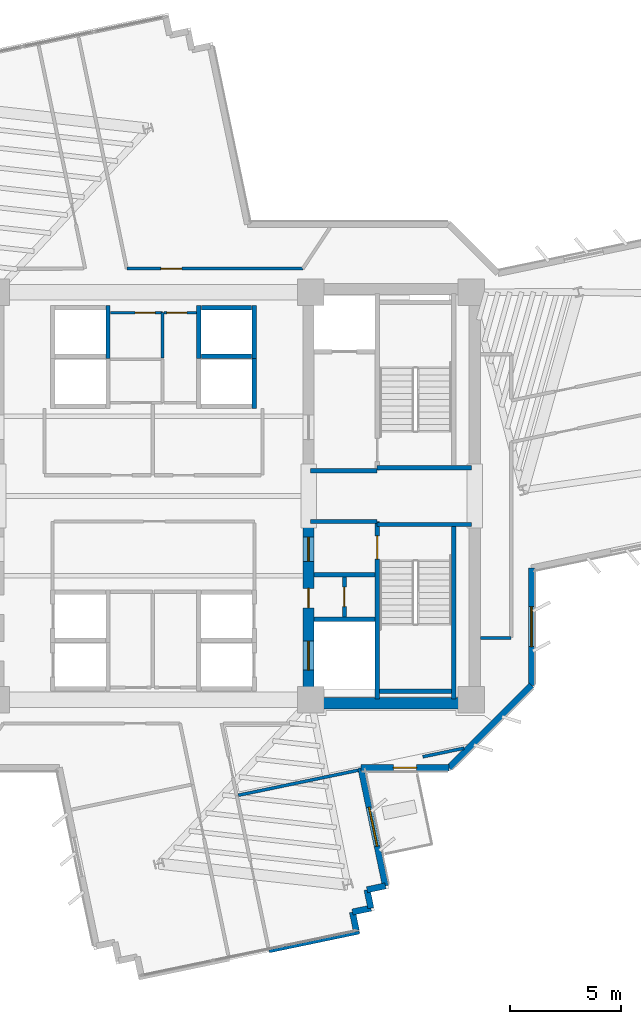
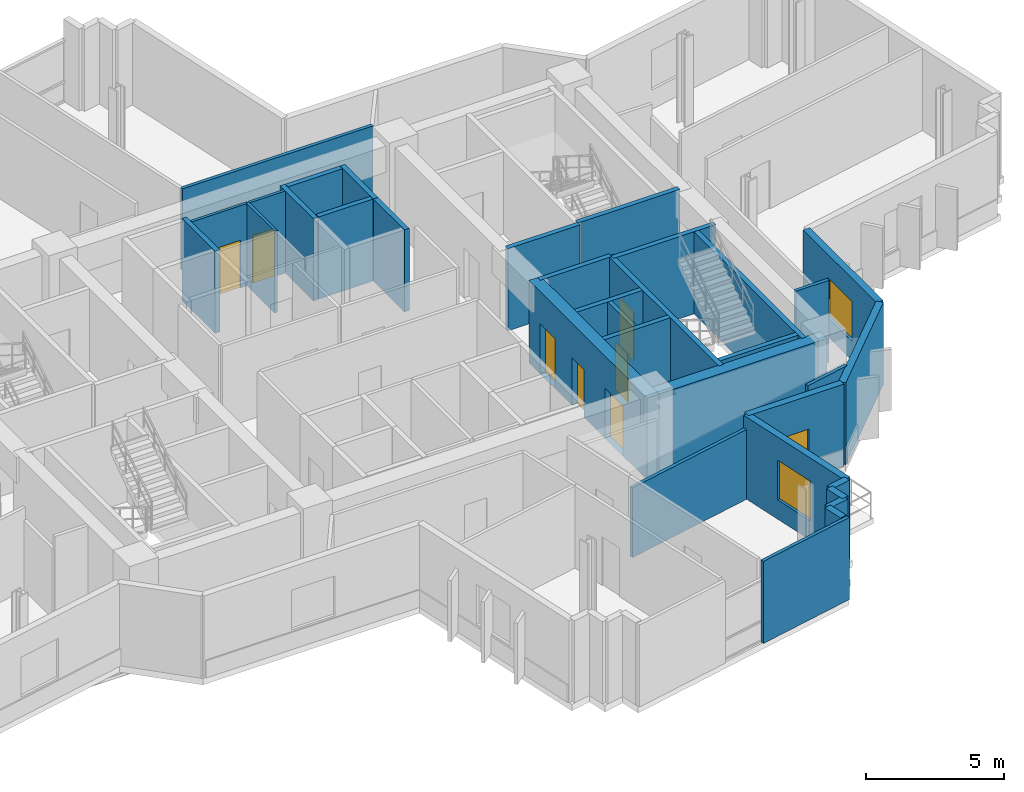
# One storey, part 9 of 14: 34 walls, 9 doors, 2 windows, 11 openings.
"""IFC4 building model written with IfcOpenShell, lengths in metres."""

from ifc_helpers import new_model, si_unit, direction, frame, frame_2d, origin, place, context, subcontext, project, spatial, rectangle, extrude, source, transform, mapped, material, layer, layer_set, type_object, element, fill, save


model = new_model("IFC4")

# Units and contexts
model_context = context("Model", 3, precision=1e-05, world=origin(), true_north=direction((0.0, 1.0)))
body_context = subcontext(model_context, "Body", "Model", "MODEL_VIEW")
ifc_project = project(units=[si_unit("LENGTHUNIT", "METRE"), si_unit("AREAUNIT", "SQUARE_METRE"), si_unit("VOLUMEUNIT", "CUBIC_METRE"), si_unit("PLANEANGLEUNIT", "RADIAN"), si_unit("MASSUNIT", "GRAM", prefix="KILO")], contexts=[model_context])

# Site, building, storey
site_placement = place(None, origin())
site = spatial("IfcSite", under=ifc_project, at=site_placement, CompositionType="ELEMENT")
building_placement = place(site_placement, origin())
building = spatial("IfcBuilding", under=site, at=building_placement, Name="Zahravan Cultural Tower", CompositionType="ELEMENT")
storey_placement = place(building_placement, frame((0.0, 0.0, 159.0)))
storey = spatial("IfcBuildingStorey", under=building, at=storey_placement, Name="L36", CompositionType="ELEMENT", Elevation=159.0)

# Wall, openings, doors
ifc_material_1 = material(Name="Concrete C60/75", Category="concrete")
ifc_layer_1 = layer(ifc_material_1, 0.5)
ifc_layer_set_1 = layer_set([ifc_layer_1], Name="Concrete C60/75")
wall_type_1 = type_object("IfcWallType", Name="CW-SHEAR-500-C60", PredefinedType="SHEAR", material=ifc_layer_set_1)
wall_1_placement = place(storey_placement, frame((43.0, 17.39990234375, 0.0), z_axis=(0.0, 0.0, 1.0), x_axis=(0.0, 1.0, 0.0)))
wall_1 = element("IfcWall", 1, at=wall_1_placement, inside=storey, type_object=wall_type_1, Name="L36 Core Shear Wall CW-E-WS-L36", PredefinedType="SHEAR", context=body_context, shape_type="SweptSolid", body=[
    extrude(rectangle(XDim=8.550048828125, YDim=0.5, at=frame_2d((4.27490234375, 0.0))), origin(), (0.0, 0.0, 1.0), 3.6201171875),
])
opening_1_placement = place(wall_1_placement, frame((6.64990234375, 0.0, 0.0)))
opening_1 = element("IfcOpeningElement", 2, at=opening_1_placement, cuts=wall_1, Name="Opening D-L36-08", PredefinedType="OPENING", context=body_context, shape_type="SweptSolid", body=[
    extrude(rectangle(XDim=1.10009765625, YDim=2.199951171875, at=frame_2d((0.550048828125, 1.10009765625))), frame((0.0, 0.260009765625, 0.0), z_axis=(0.0, -1.0, 0.0), x_axis=(1.0, 0.0, 0.0)), (0.0, 0.0, 1.0), 0.52001953125),
])
opening_2_placement = place(wall_1_placement, frame((1.75, 0.0, 0.0)))
opening_2 = element("IfcOpeningElement", 3, at=opening_2_placement, cuts=wall_1, Name="Opening LD-L36-03", PredefinedType="OPENING", context=body_context, shape_type="SweptSolid", body=[
    extrude(rectangle(XDim=1.300048828125, YDim=2.199951171875, at=frame_2d((0.64990234375, 1.10009765625))), frame((0.0, 0.260009765625, 0.0), z_axis=(0.0, -1.0, 0.0), x_axis=(1.0, 0.0, 0.0)), (0.0, 0.0, 1.0), 0.52001953125),
])
opening_3_placement = place(wall_1_placement, frame((4.550048828125, 0.0, 0.0)))
opening_3 = element("IfcOpeningElement", 4, at=opening_3_placement, cuts=wall_1, Name="Opening D-L36-11", PredefinedType="OPENING", context=body_context, shape_type="SweptSolid", body=[
    extrude(rectangle(XDim=0.8798828125, YDim=2.10009765625, at=frame_2d((0.43994140625, 1.050048828125))), frame((0.0, 0.260009765625, 0.0), z_axis=(0.0, -1.0, 0.0), x_axis=(1.0, 0.0, 0.0)), (0.0, 0.0, 1.0), 0.52001953125),
])
ifc_material_2 = material(Name="Steel ASTM A572 Grade 50", Category="steel")
door_type_1 = type_object("IfcDoorType", Name="DR-LOBBY-1100", OperationType="NOTDEFINED", PredefinedType="DOOR", material=ifc_material_2)
shared_shape_1 = source(origin(), body_context, "Body", "SweptSolid", [
    extrude(rectangle(XDim=1.10009765625, YDim=2.199951171875, at=frame_2d((0.550048828125, 1.10009765625))), frame((0.0, 0.02490234375, 0.0), z_axis=(0.0, -1.0, 0.0), x_axis=(1.0, 0.0, 0.0)), (0.0, 0.0, 1.0), 0.050048828125),
])
door_1_placement = place(opening_1_placement, origin())
door_1 = element("IfcDoor", 5, at=door_1_placement, inside=storey, type_object=door_type_1, Name="L36 Door D-L36-08", OperationType="SINGLE_SWING_LEFT", OverallHeight=2.199951171875, OverallWidth=1.10009765625, PredefinedType="DOOR", context=body_context, shape_type="MappedRepresentation", body=[
    mapped(shared_shape_1, transform((0.0, 0.0, 0.0), x_axis=(1.0, 0.0, 0.0), y_axis=(0.0, 1.0, 0.0), z_axis=(0.0, 0.0, 1.0), scale=1.0)),
])
fill(opening_1, door_1)
door_type_2 = type_object("IfcDoorType", Name="DR-LIFT-1300", OperationType="DOUBLE_DOOR_SLIDING", PredefinedType="DOOR", material=ifc_material_2)
shared_shape_2 = source(origin(), body_context, "Body", "SweptSolid", [
    extrude(rectangle(XDim=1.300048828125, YDim=2.199951171875, at=frame_2d((0.64990234375, 1.10009765625))), frame((0.0, 0.02490234375, 0.0), z_axis=(0.0, -1.0, 0.0), x_axis=(1.0, 0.0, 0.0)), (0.0, 0.0, 1.0), 0.050048828125),
])
door_2_placement = place(opening_2_placement, origin())
door_2 = element("IfcDoor", 6, at=door_2_placement, inside=storey, type_object=door_type_2, Name="L36 Door LD-L36-03", OperationType="DOUBLE_DOOR_SLIDING", OverallHeight=2.199951171875, OverallWidth=1.300048828125, PredefinedType="DOOR", context=body_context, shape_type="MappedRepresentation", body=[
    mapped(shared_shape_2, transform((0.0, 0.0, 0.0), x_axis=(1.0, 0.0, 0.0), y_axis=(0.0, 1.0, 0.0), z_axis=(0.0, 0.0, 1.0), scale=1.0)),
])
fill(opening_2, door_2)
door_type_3 = type_object("IfcDoorType", Name="DR-SVC-880", OperationType="NOTDEFINED", PredefinedType="DOOR", material=ifc_material_2)
shared_shape_3 = source(origin(), body_context, "Body", "SweptSolid", [
    extrude(rectangle(XDim=0.8798828125, YDim=2.10009765625, at=frame_2d((0.43994140625, 1.050048828125))), frame((0.0, 0.02490234375, 0.0), z_axis=(0.0, -1.0, 0.0), x_axis=(1.0, 0.0, 0.0)), (0.0, 0.0, 1.0), 0.050048828125),
])
door_3_placement = place(opening_3_placement, origin())
door_3 = element("IfcDoor", 7, at=door_3_placement, inside=storey, type_object=door_type_3, Name="L36 Door D-L36-11", OperationType="SINGLE_SWING_RIGHT", OverallHeight=2.10009765625, OverallWidth=0.8798828125, PredefinedType="DOOR", context=body_context, shape_type="MappedRepresentation", body=[
    mapped(shared_shape_3, transform((0.0, 0.0, 0.0), x_axis=(1.0, 0.0, 0.0), y_axis=(0.0, 1.0, 0.0), z_axis=(0.0, 0.0, 1.0), scale=1.0)),
])
fill(opening_3, door_3)

# Wall, opening, window
ifc_material_3 = material(Name="Precast concrete C40/50", Category="concrete")
ifc_layer_2 = layer(ifc_material_3, 0.280029296875)
ifc_layer_set_2 = layer_set([ifc_layer_2], Name="Precast concrete C40/50")
wall_type_2 = type_object("IfcWallType", Name="EW-TC-280", PredefinedType="SOLIDWALL", material=ifc_layer_set_2)
wall_2_placement = place(storey_placement, frame((53.06005859375, 23.75439453125, 0.0), z_axis=(0.0, 0.0, 1.0), x_axis=(0.0, -1.0, 0.0)))
wall_2 = element("IfcWall", 8, at=wall_2_placement, inside=storey, type_object=wall_type_2, Name="L36 Exterior Masonry Frame Wall 12", PredefinedType="SOLIDWALL", context=body_context, shape_type="SweptSolid", body=[
    extrude(rectangle(XDim=5.29638671875, YDim=0.280029296875, at=frame_2d((2.648193359375, 0.0))), origin(), (0.0, 0.0, 1.0), 3.6201171875),
])
opening_4_placement = place(wall_2_placement, frame((1.748046875, 0.0, 0.85009765625)))
opening_4 = element("IfcOpeningElement", 9, at=opening_4_placement, cuts=wall_2, Name="Opening WN-02", PredefinedType="OPENING", context=body_context, shape_type="SweptSolid", body=[
    extrude(rectangle(XDim=1.800048828125, YDim=1.75, at=frame_2d((0.89990234375, 0.875))), frame((0.0, 0.14990234375, 0.0), z_axis=(0.0, -1.0, 0.0), x_axis=(1.0, 0.0, 0.0)), (0.0, 0.0, 1.0), 0.300048828125),
])
ifc_material_4 = material(Name="Low-E solar-control double glazing", Category="glass")
window_type = type_object("IfcWindowType", Name="WN-REC-1800X1750", PartitioningType="DOUBLE_PANEL_VERTICAL", PredefinedType="WINDOW", material=ifc_material_4)
shared_shape_4 = source(origin(), body_context, "Body", "SweptSolid", [
    extrude(rectangle(XDim=1.800048828125, YDim=1.75, at=frame_2d((0.89990234375, 0.875))), frame((0.0, 0.030029296875, 0.0), z_axis=(0.0, -1.0, 0.0), x_axis=(1.0, 0.0, 0.0)), (0.0, 0.0, 1.0), 0.06005859375),
])
window_1_placement = place(opening_4_placement, origin())
window_1 = element("IfcWindow", 10, at=window_1_placement, inside=storey, type_object=window_type, Name="L36 Recessed Solar Window 03", OverallHeight=1.75, OverallWidth=1.800048828125, PartitioningType="DOUBLE_PANEL_VERTICAL", PredefinedType="WINDOW", context=body_context, shape_type="MappedRepresentation", body=[
    mapped(shared_shape_4, transform((0.0, 0.0, 0.0), x_axis=(1.0, 0.0, 0.0), y_axis=(0.0, 1.0, 0.0), z_axis=(0.0, 0.0, 1.0), scale=1.0)),
])
fill(opening_4, window_1)

# Wall, opening, door
wall_3_placement = place(storey_placement, frame((49.342041015625, 14.739990234375, 0.0), z_axis=(0.0, 0.0, 1.0), x_axis=(-1.0, 0.0, 0.0)))
wall_3 = element("IfcWall", 11, at=wall_3_placement, inside=storey, type_object=wall_type_2, Name="L36 Exterior Masonry Frame Wall 14", PredefinedType="SOLIDWALL", context=body_context, shape_type="SweptSolid", body=[
    extrude(rectangle(XDim=3.98193359375, YDim=0.280029296875, at=frame_2d((1.990966796875, 0.0))), origin(), (0.0, 0.0, 1.0), 3.6201171875),
])
opening_5_placement = place(wall_3_placement, frame((1.466064453125, 0.0, 0.0)))
opening_5 = element("IfcOpeningElement", 12, at=opening_5_placement, cuts=wall_3, Name="Opening D-L36-TR-SE", PredefinedType="OPENING", context=body_context, shape_type="SweptSolid", body=[
    extrude(rectangle(XDim=1.050048828125, YDim=2.14990234375, at=frame_2d((0.52490234375, 1.074951171875))), frame((0.0, 0.14990234375, 0.0), z_axis=(0.0, -1.0, 0.0), x_axis=(1.0, 0.0, 0.0)), (0.0, 0.0, 1.0), 0.300048828125),
])
ifc_material_5 = material(Name="Anodised bronze-aluminium mullion", Category="aluminium")
door_type_4 = type_object("IfcDoorType", Name="DR-TERR-1050", OperationType="NOTDEFINED", PredefinedType="DOOR", material=ifc_material_5)
shared_shape_5 = source(origin(), body_context, "Body", "SweptSolid", [
    extrude(rectangle(XDim=1.050048828125, YDim=2.14990234375, at=frame_2d((0.52490234375, 1.074951171875))), frame((0.0, 0.02490234375, 0.0), z_axis=(0.0, -1.0, 0.0), x_axis=(1.0, 0.0, 0.0)), (0.0, 0.0, 1.0), 0.050048828125),
])
door_4_placement = place(opening_5_placement, origin())
door_4 = element("IfcDoor", 13, at=door_4_placement, inside=storey, type_object=door_type_4, Name="L36 Terrace Access Door SE", OperationType="SINGLE_SWING_LEFT", OverallHeight=2.14990234375, OverallWidth=1.050048828125, PredefinedType="DOOR", context=body_context, shape_type="MappedRepresentation", body=[
    mapped(shared_shape_5, transform((0.0, 0.0, 0.0), x_axis=(1.0, 0.0, 0.0), y_axis=(0.0, 1.0, 0.0), z_axis=(0.0, 0.0, 1.0), scale=1.0)),
])
fill(opening_5, door_4)

# Wall, opening, window
wall_4_placement = place(storey_placement, frame((45.360107421875, 14.739990234375, 0.0), z_axis=(0.0, 0.0, 1.0), x_axis=(0.204151126022, -0.978939384101, 0.0)))
wall_4 = element("IfcWall", 14, at=wall_4_placement, inside=storey, type_object=wall_type_2, Name="L36 Exterior Masonry Frame Wall 15", PredefinedType="SOLIDWALL", context=body_context, shape_type="SweptSolid", body=[
    extrude(rectangle(XDim=5.447265625, YDim=0.280029296875, at=frame_2d((2.7236328125, 0.0))), origin(), (0.0, 0.0, 1.0), 3.6201171875),
])
opening_6_placement = place(wall_4_placement, frame((1.823974609375, 0.0, 0.85009765625)))
opening_6 = element("IfcOpeningElement", 15, at=opening_6_placement, cuts=wall_4, Name="Opening WN-02", PredefinedType="OPENING", context=body_context, shape_type="SweptSolid", body=[
    extrude(rectangle(XDim=1.800048828125, YDim=1.75, at=frame_2d((0.89990234375, 0.875))), frame((0.0, 0.14990234375, 0.0), z_axis=(0.0, -1.0, 0.0), x_axis=(1.0, 0.0, 0.0)), (0.0, 0.0, 1.0), 0.300048828125),
])
window_2_placement = place(opening_6_placement, origin())
window_2 = element("IfcWindow", 16, at=window_2_placement, inside=storey, type_object=window_type, Name="L36 Recessed Solar Window 04", OverallHeight=1.75, OverallWidth=1.800048828125, PartitioningType="DOUBLE_PANEL_VERTICAL", PredefinedType="WINDOW", context=body_context, shape_type="MappedRepresentation", body=[
    mapped(shared_shape_4, transform((0.0, 0.0, 0.0), x_axis=(1.0, 0.0, 0.0), y_axis=(0.0, 1.0, 0.0), z_axis=(0.0, 0.0, 1.0), scale=1.0)),
])
fill(opening_6, window_2)

# Wall, opening, door
ifc_material_6 = material(Name="Gypsum plasterboard partition")
ifc_layer_3 = layer(ifc_material_6, 0.179931640625)
ifc_layer_set_3 = layer_set([ifc_layer_3], Name="Gypsum plasterboard partition")
wall_type_3 = type_object("IfcWallType", Name="W-COMP-180", PredefinedType="PARTITIONING", material=ifc_layer_set_3)
wall_5_placement = place(storey_placement, frame((44.6201171875, 21.550048828125, 0.0), z_axis=(0.0, 0.0, 1.0), x_axis=(0.0, 1.0, 0.0)))
wall_5 = element("IfcWall", 17, at=wall_5_placement, inside=storey, type_object=wall_type_3, Name="L36 Interior Wall 027", PredefinedType="PARTITIONING", context=body_context, shape_type="SweptSolid", body=[
    extrude(rectangle(XDim=1.800048828125, YDim=0.179931640625, at=frame_2d((0.89990234375, 0.0))), origin(), (0.0, 0.0, 1.0), 3.6201171875),
])
opening_7_placement = place(wall_5_placement, frame((0.4599609375, 0.0, 0.0)))
opening_7 = element("IfcOpeningElement", 18, at=opening_7_placement, cuts=wall_5, Name="Opening D-L36-12", PredefinedType="OPENING", context=body_context, shape_type="SweptSolid", body=[
    extrude(rectangle(XDim=0.8798828125, YDim=2.10009765625, at=frame_2d((0.43994140625, 1.050048828125))), frame((0.0, 0.099853515625, 0.0), z_axis=(0.0, -1.0, 0.0), x_axis=(1.0, 0.0, 0.0)), (0.0, 0.0, 1.0), 0.199951171875),
])
door_5_placement = place(opening_7_placement, origin())
door_5 = element("IfcDoor", 19, at=door_5_placement, inside=storey, type_object=door_type_3, Name="L36 Door D-L36-12", OperationType="SINGLE_SWING_LEFT", OverallHeight=2.10009765625, OverallWidth=0.8798828125, PredefinedType="DOOR", context=body_context, shape_type="MappedRepresentation", body=[
    mapped(shared_shape_3, transform((0.0, 0.0, 0.0), x_axis=(1.0, 0.0, 0.0), y_axis=(0.0, 1.0, 0.0), z_axis=(0.0, 0.0, 1.0), scale=1.0)),
])
fill(opening_7, door_5)

ifc_layer_4 = layer(ifc_material_6, 0.139892578125)
ifc_layer_set_4 = layer_set([ifc_layer_4], Name="Gypsum plasterboard partition")
wall_type_4 = type_object("IfcWallType", Name="W-PART-140", PredefinedType="PARTITIONING", material=ifc_layer_set_4)
wall_6_placement = place(storey_placement, frame((42.7421875, 37.260009765625, 0.0), z_axis=(0.0, 0.0, 1.0), x_axis=(-1.0, 0.0, 0.0)))
wall_6 = element("IfcWall", 20, at=wall_6_placement, inside=storey, type_object=wall_type_4, Name="L36 Interior Wall 088", PredefinedType="PARTITIONING", context=body_context, shape_type="SweptSolid", body=[
    extrude(rectangle(XDim=7.942138671875, YDim=0.139892578125, at=frame_2d((3.97119140625, 0.0))), origin(), (0.0, 0.0, 1.0), 3.6201171875),
])
opening_8_placement = place(wall_6_placement, frame((5.453857421875, 0.0, 0.0)))
opening_8 = element("IfcOpeningElement", 21, at=opening_8_placement, cuts=wall_6, Name="Opening D-L36-22", PredefinedType="OPENING", context=body_context, shape_type="SweptSolid", body=[
    extrude(rectangle(XDim=0.949951171875, YDim=2.14990234375, at=frame_2d((0.47509765625, 1.074951171875))), frame((0.0, 0.079833984375, 0.0), z_axis=(0.0, -1.0, 0.0), x_axis=(1.0, 0.0, 0.0)), (0.0, 0.0, 1.0), 0.159912109375),
])
door_type_5 = type_object("IfcDoorType", Name="DR-ROOM-950", OperationType="NOTDEFINED", PredefinedType="DOOR", material=ifc_material_5)
shared_shape_6 = source(origin(), body_context, "Body", "SweptSolid", [
    extrude(rectangle(XDim=0.949951171875, YDim=2.14990234375, at=frame_2d((0.47509765625, 1.074951171875))), frame((0.0, 0.02490234375, 0.0), z_axis=(0.0, -1.0, 0.0), x_axis=(1.0, 0.0, 0.0)), (0.0, 0.0, 1.0), 0.050048828125),
])
door_6_placement = place(opening_8_placement, origin())
door_6 = element("IfcDoor", 22, at=door_6_placement, inside=storey, type_object=door_type_5, Name="L36 Door D-L36-22", OperationType="SINGLE_SWING_LEFT", OverallHeight=2.14990234375, OverallWidth=0.949951171875, PredefinedType="DOOR", context=body_context, shape_type="MappedRepresentation", body=[
    mapped(shared_shape_6, transform((0.0, 0.0, 0.0), x_axis=(1.0, 0.0, 0.0), y_axis=(0.0, 1.0, 0.0), z_axis=(0.0, 0.0, 1.0), scale=1.0)),
])
fill(opening_8, door_6)

ifc_material_7 = material(Name="Concrete C45/55", Category="concrete")
ifc_layer_5 = layer(ifc_material_7, 0.199951171875)
ifc_layer_set_5 = layer_set([ifc_layer_5], Name="Concrete C45/55")
wall_type_5 = type_object("IfcWallType", Name="W-SHAFT-200", PredefinedType="SOLIDWALL", material=ifc_layer_set_5)
wall_7_placement = place(storey_placement, frame((46.10009765625, 17.85009765625, 0.0), z_axis=(0.0, 0.0, 1.0), x_axis=(0.0, 1.0, 0.0)))
wall_7 = element("IfcWall", 23, at=wall_7_placement, inside=storey, type_object=wall_type_5, Name="L36 Interior Wall 007", PredefinedType="SOLIDWALL", context=body_context, shape_type="SweptSolid", body=[
    extrude(rectangle(XDim=8.0, YDim=0.199951171875, at=frame_2d((4.0, 0.0))), origin(), (0.0, 0.0, 1.0), 3.6201171875),
])
opening_9_placement = place(wall_7_placement, frame((6.300048828125, 0.0, 0.0)))
opening_9 = element("IfcOpeningElement", 24, at=opening_9_placement, cuts=wall_7, Name="Opening D-L36-03", PredefinedType="OPENING", context=body_context, shape_type="SweptSolid", body=[
    extrude(rectangle(XDim=1.050048828125, YDim=2.14990234375, at=frame_2d((0.52490234375, 1.074951171875))), frame((0.0, 0.10986328125, 0.0), z_axis=(0.0, -1.0, 0.0), x_axis=(1.0, 0.0, 0.0)), (0.0, 0.0, 1.0), 0.219970703125),
])
door_type_6 = type_object("IfcDoorType", Name="DR-STAIR-1050", OperationType="NOTDEFINED", PredefinedType="DOOR", material=ifc_material_2)
door_7_placement = place(opening_9_placement, origin())
door_7 = element("IfcDoor", 25, at=door_7_placement, inside=storey, type_object=door_type_6, Name="L36 Door D-L36-03", OperationType="SINGLE_SWING_RIGHT", OverallHeight=2.14990234375, OverallWidth=1.050048828125, PredefinedType="DOOR", context=body_context, shape_type="MappedRepresentation", body=[
    mapped(shared_shape_5, transform((0.0, 0.0, 0.0), x_axis=(1.0, 0.0, 0.0), y_axis=(0.0, 1.0, 0.0), z_axis=(0.0, 0.0, 1.0), scale=1.0)),
])
fill(opening_9, door_7)

ifc_layer_6 = layer(ifc_material_6, 0.114990234375)
ifc_layer_set_6 = layer_set([ifc_layer_6], Name="Gypsum plasterboard partition")
wall_type_6 = type_object("IfcWallType", Name="W-WC-115", PredefinedType="PARTITIONING", material=ifc_layer_set_6)
wall_8_placement = place(storey_placement, frame((34.054931640625, 35.280029296875, 0.0), z_axis=(0.0, 0.0, 1.0), x_axis=(1.0, 0.0, 0.0)))
wall_8 = element("IfcWall", 26, at=wall_8_placement, inside=storey, type_object=wall_type_6, Name="L36 Interior Wall 059", PredefinedType="PARTITIONING", context=body_context, shape_type="SweptSolid", body=[
    extrude(rectangle(XDim=2.35498046875, YDim=0.114990234375, at=frame_2d((1.177490234375, 0.0))), origin(), (0.0, 0.0, 1.0), 3.6201171875),
])
opening_10_placement = place(wall_8_placement, frame((1.120849609375, 0.0, 0.0)))
opening_10 = element("IfcOpeningElement", 27, at=opening_10_placement, cuts=wall_8, Name="Opening D-L36-14", PredefinedType="OPENING", context=body_context, shape_type="SweptSolid", body=[
    extrude(rectangle(XDim=0.89990234375, YDim=2.10009765625, at=frame_2d((0.449951171875, 1.050048828125))), frame((0.0, 0.0673828125, 0.0), z_axis=(0.0, -1.0, 0.0), x_axis=(1.0, 0.0, 0.0)), (0.0, 0.0, 1.0), 0.135009765625),
])
door_type_7 = type_object("IfcDoorType", Name="DR-WC-900", OperationType="NOTDEFINED", PredefinedType="DOOR", material=ifc_material_5)
shared_shape_7 = source(origin(), body_context, "Body", "SweptSolid", [
    extrude(rectangle(XDim=0.89990234375, YDim=2.10009765625, at=frame_2d((0.449951171875, 1.050048828125))), frame((0.0, 0.02490234375, 0.0), z_axis=(0.0, -1.0, 0.0), x_axis=(1.0, 0.0, 0.0)), (0.0, 0.0, 1.0), 0.050048828125),
])
door_8_placement = place(opening_10_placement, origin())
door_8 = element("IfcDoor", 28, at=door_8_placement, inside=storey, type_object=door_type_7, Name="L36 Door D-L36-14", OperationType="SINGLE_SWING_LEFT", OverallHeight=2.10009765625, OverallWidth=0.89990234375, PredefinedType="DOOR", context=body_context, shape_type="MappedRepresentation", body=[
    mapped(shared_shape_7, transform((0.0, 0.0, 0.0), x_axis=(1.0, 0.0, 0.0), y_axis=(0.0, 1.0, 0.0), z_axis=(0.0, 0.0, 1.0), scale=1.0)),
])
fill(opening_10, door_8)

wall_9_placement = place(storey_placement, frame((36.472412109375, 35.280029296875, 0.0), z_axis=(0.0, 0.0, 1.0), x_axis=(1.0, 0.0, 0.0)))
wall_9 = element("IfcWall", 29, at=wall_9_placement, inside=storey, type_object=wall_type_6, Name="L36 Interior Wall 062", PredefinedType="PARTITIONING", context=body_context, shape_type="SweptSolid", body=[
    extrude(rectangle(XDim=1.47265625, YDim=0.114990234375, at=frame_2d((0.736328125, 0.0))), origin(), (0.0, 0.0, 1.0), 3.6201171875),
])
opening_11_placement = place(wall_9_placement, frame((0.139892578125, 0.0, 0.0)))
opening_11 = element("IfcOpeningElement", 30, at=opening_11_placement, cuts=wall_9, Name="Opening D-L36-15", PredefinedType="OPENING", context=body_context, shape_type="SweptSolid", body=[
    extrude(rectangle(XDim=0.89990234375, YDim=2.10009765625, at=frame_2d((0.449951171875, 1.050048828125))), frame((0.0, 0.0673828125, 0.0), z_axis=(0.0, -1.0, 0.0), x_axis=(1.0, 0.0, 0.0)), (0.0, 0.0, 1.0), 0.135009765625),
])
door_9_placement = place(opening_11_placement, origin())
door_9 = element("IfcDoor", 31, at=door_9_placement, inside=storey, type_object=door_type_7, Name="L36 Door D-L36-15", OperationType="SINGLE_SWING_RIGHT", OverallHeight=2.10009765625, OverallWidth=0.89990234375, PredefinedType="DOOR", context=body_context, shape_type="MappedRepresentation", body=[
    mapped(shared_shape_7, transform((0.0, 0.0, 0.0), x_axis=(1.0, 0.0, 0.0), y_axis=(0.0, 1.0, 0.0), z_axis=(0.0, 0.0, 1.0), scale=1.0)),
])
fill(opening_11, door_9)

# Walls
shared_shape_8 = source(origin(), body_context, "Body", "SweptSolid", [
    extrude(rectangle(XDim=7.0, YDim=0.5, at=frame_2d((3.5, 0.0))), origin(), (0.0, 0.0, 1.0), 3.6201171875),
])
wall_10_placement = place(storey_placement, frame((43.25, 17.64990234375, 0.0), z_axis=(0.0, 0.0, 1.0), x_axis=(1.0, 0.0, 0.0)))
element("IfcWall", 32, at=wall_10_placement, inside=storey, type_object=wall_type_1, Name="L36 Core Shear Wall CW-E-S-L36", PredefinedType="SHEAR", context=body_context, shape_type="MappedRepresentation", body=[
    mapped(shared_shape_8, transform((0.0, 0.0, 0.0), x_axis=(1.0, 0.0, 0.0), y_axis=(0.0, 1.0, 0.0), z_axis=(0.0, 0.0, 1.0), scale=1.0)),
])
shared_shape_9 = source(origin(), body_context, "Body", "SweptSolid", [
    extrude(rectangle(XDim=0.85009765625, YDim=0.280029296875, at=frame_2d((0.425048828125, 0.0))), origin(), (0.0, 0.0, 1.0), 3.6201171875),
])
wall_11_placement = place(storey_placement, frame((45.813720703125, 8.40185546875, 0.0), z_axis=(0.0, 0.0, 1.0), x_axis=(-0.97893500384, -0.204172128991, 0.0)))
element("IfcWall", 33, at=wall_11_placement, inside=storey, type_object=wall_type_2, Name="L36 Exterior Masonry Frame Wall 18", PredefinedType="SOLIDWALL", context=body_context, shape_type="MappedRepresentation", body=[
    mapped(shared_shape_9, transform((0.0, 0.0, 0.0), x_axis=(1.0, 0.0, 0.0), y_axis=(0.0, 1.0, 0.0), z_axis=(0.0, 0.0, 1.0), scale=1.0)),
])
shared_shape_10 = source(origin(), body_context, "Body", "SweptSolid", [
    extrude(rectangle(XDim=5.258056640625, YDim=0.280029296875, at=frame_2d((2.62890625, 0.0))), origin(), (0.0, 0.0, 1.0), 3.6201171875),
])
wall_12_placement = place(storey_placement, frame((53.06005859375, 18.4580078125, 0.0), z_axis=(0.0, 0.0, 1.0), x_axis=(-0.707106781187, -0.707106781187, 0.0)))
element("IfcWall", 34, at=wall_12_placement, inside=storey, type_object=wall_type_2, Name="L36 Exterior Masonry Frame Wall 13", PredefinedType="SOLIDWALL", context=body_context, shape_type="MappedRepresentation", body=[
    mapped(shared_shape_10, transform((0.0, 0.0, 0.0), x_axis=(1.0, 0.0, 0.0), y_axis=(0.0, 1.0, 0.0), z_axis=(0.0, 0.0, 1.0), scale=1.0)),
])
shared_shape_11 = source(origin(), body_context, "Body", "SweptSolid", [
    extrude(rectangle(XDim=0.849853515625, YDim=0.280029296875, at=frame_2d((0.4248046875, 0.0))), origin(), (0.0, 0.0, 1.0), 3.6201171875),
])
for number, where, z_axis, x_axis, name in (
    (35, (46.47216796875, 9.407470703125, 0.0), (0.0, 0.0, 1.0), (-0.978923028084, -0.20422954019, 0.0), "L36 Exterior Masonry Frame Wall 16"),
    (36, (45.64013671875, 9.23388671875, 0.0), (0.0, 0.0, 1.0), (0.20422954019, -0.978923028084, 0.0), "L36 Exterior Masonry Frame Wall 17"),
    (37, (44.9814453125, 8.228271484375, 0.0), (0.0, 0.0, 1.0), (0.20422954019, -0.978923028084, 0.0), "L36 Exterior Masonry Frame Wall 19"),
):
    element("IfcWall", number, at=place(storey_placement, frame(where, z_axis=z_axis, x_axis=x_axis)), inside=storey, type_object=wall_type_2, Name=name, PredefinedType="SOLIDWALL", context=body_context, shape_type="MappedRepresentation", body=[
        mapped(shared_shape_11, transform((0.0, 0.0, 0.0), x_axis=(1.0, 0.0, 0.0), y_axis=(0.0, 1.0, 0.0), z_axis=(0.0, 0.0, 1.0), scale=1.0)),
    ])
shared_shape_12 = source(origin(), body_context, "Body", "SweptSolid", [
    extrude(rectangle(XDim=7.869873046875, YDim=0.199951171875, at=frame_2d((3.93505859375, 0.0))), origin(), (0.0, 0.0, 1.0), 3.6201171875),
])
wall_13_placement = place(storey_placement, frame((49.550048828125, 17.85009765625, 0.0), z_axis=(0.0, 0.0, 1.0), x_axis=(0.0, 1.0, 0.0)))
element("IfcWall", 38, at=wall_13_placement, inside=storey, type_object=wall_type_5, Name="L36 Interior Wall 003", PredefinedType="SOLIDWALL", context=body_context, shape_type="MappedRepresentation", body=[
    mapped(shared_shape_12, transform((0.0, 0.0, 0.0), x_axis=(1.0, 0.0, 0.0), y_axis=(0.0, 1.0, 0.0), z_axis=(0.0, 0.0, 1.0), scale=1.0)),
])
shared_shape_13 = source(origin(), body_context, "Body", "SweptSolid", [
    extrude(rectangle(XDim=4.25, YDim=0.199951171875, at=frame_2d((2.125, 0.0))), origin(), (0.0, 0.0, 1.0), 3.6201171875),
])
for number, where, z_axis, x_axis, name in (
    (39, (46.10009765625, 25.715087890625, 0.0), (0.0, 0.0, 1.0), (1.0, 0.0, 0.0), "L36 Interior Wall 014"),
    (40, (46.10009765625, 28.284912109375, 0.0), (0.0, 0.0, 1.0), (1.0, 0.0, 0.0), "L36 Interior Wall 016"),
):
    element("IfcWall", number, at=place(storey_placement, frame(where, z_axis=z_axis, x_axis=x_axis)), inside=storey, type_object=wall_type_5, Name=name, PredefinedType="SOLIDWALL", context=body_context, shape_type="MappedRepresentation", body=[
        mapped(shared_shape_13, transform((0.0, 0.0, 0.0), x_axis=(1.0, 0.0, 0.0), y_axis=(0.0, 1.0, 0.0), z_axis=(0.0, 0.0, 1.0), scale=1.0)),
    ])
shared_shape_14 = source(origin(), body_context, "Body", "SweptSolid", [
    extrude(rectangle(XDim=3.0, YDim=0.199951171875, at=frame_2d((1.5, 0.0))), origin(), (0.0, 0.0, 1.0), 3.6201171875),
])
for number, where, z_axis, x_axis, name in (
    (41, (43.10009765625, 25.85009765625, 0.0), (0.0, 0.0, 1.0), (1.0, 0.0, 0.0), "L36 Interior Wall 013"),
    (42, (43.10009765625, 28.14990234375, 0.0), (0.0, 0.0, 1.0), (1.0, 0.0, 0.0), "L36 Interior Wall 015"),
):
    element("IfcWall", number, at=place(storey_placement, frame(where, z_axis=z_axis, x_axis=x_axis)), inside=storey, type_object=wall_type_5, Name=name, PredefinedType="SOLIDWALL", context=body_context, shape_type="MappedRepresentation", body=[
        mapped(shared_shape_14, transform((0.0, 0.0, 0.0), x_axis=(1.0, 0.0, 0.0), y_axis=(0.0, 1.0, 0.0), z_axis=(0.0, 0.0, 1.0), scale=1.0)),
    ])
shared_shape_15 = source(origin(), body_context, "Body", "SweptSolid", [
    extrude(rectangle(XDim=3.25, YDim=0.199951171875, at=frame_2d((1.625, 0.0))), origin(), (0.0, 0.0, 1.0), 3.6201171875),
])
wall_14_placement = place(storey_placement, frame((46.199951171875, 18.199951171875, 0.0), z_axis=(0.0, 0.0, 1.0), x_axis=(1.0, 0.0, 0.0)))
element("IfcWall", 43, at=wall_14_placement, inside=storey, type_object=wall_type_5, Name="L36 Interior Wall 020", PredefinedType="SOLIDWALL", context=body_context, shape_type="MappedRepresentation", body=[
    mapped(shared_shape_15, transform((0.0, 0.0, 0.0), x_axis=(1.0, 0.0, 0.0), y_axis=(0.0, 1.0, 0.0), z_axis=(0.0, 0.0, 1.0), scale=1.0)),
])
shared_shape_16 = source(origin(), body_context, "Body", "SweptSolid", [
    extrude(rectangle(XDim=2.75, YDim=0.199951171875, at=frame_2d((1.375, 0.0))), origin(), (0.0, 0.0, 1.0), 3.6201171875),
])
for number, where, z_axis, x_axis, name in (
    (44, (43.25, 23.449951171875, 0.0), (0.0, 0.0, 1.0), (1.0, 0.0, 0.0), "L36 Interior Wall 024"),
    (45, (43.25, 21.449951171875, 0.0), (0.0, 0.0, 1.0), (1.0, 0.0, 0.0), "L36 Interior Wall 025"),
):
    element("IfcWall", number, at=place(storey_placement, frame(where, z_axis=z_axis, x_axis=x_axis)), inside=storey, type_object=wall_type_5, Name=name, PredefinedType="SOLIDWALL", context=body_context, shape_type="MappedRepresentation", body=[
        mapped(shared_shape_16, transform((0.0, 0.0, 0.0), x_axis=(1.0, 0.0, 0.0), y_axis=(0.0, 1.0, 0.0), z_axis=(0.0, 0.0, 1.0), scale=1.0)),
    ])
shared_shape_17 = source(origin(), body_context, "Body", "SweptSolid", [
    extrude(rectangle(XDim=2.400146484375, YDim=0.199951171875, at=frame_2d((1.2001953125, 0.0))), origin(), (0.0, 0.0, 1.0), 3.6201171875),
])
for number, where, z_axis, x_axis, name in (
    (46, (33.949951171875, 33.199951171875, 0.0), (0.0, 0.0, 1.0), (0.0, 1.0, 0.0), "L36 Interior Wall 029"),
    (47, (38.050048828125, 33.199951171875, 0.0), (0.0, 0.0, 1.0), (0.0, 1.0, 0.0), "L36 Interior Wall 035"),
    (48, (40.550048828125, 33.199951171875, 0.0), (0.0, 0.0, 1.0), (0.0, 1.0, 0.0), "L36 Interior Wall 036"),
    (49, (40.550048828125, 30.949951171875, 0.0), (0.0, 0.0, 1.0), (0.0, 1.0, 0.0), "L36 Interior Wall 040"),
):
    element("IfcWall", number, at=place(storey_placement, frame(where, z_axis=z_axis, x_axis=x_axis)), inside=storey, type_object=wall_type_5, Name=name, PredefinedType="SOLIDWALL", context=body_context, shape_type="MappedRepresentation", body=[
        mapped(shared_shape_17, transform((0.0, 0.0, 0.0), x_axis=(1.0, 0.0, 0.0), y_axis=(0.0, 1.0, 0.0), z_axis=(0.0, 0.0, 1.0), scale=1.0)),
    ])
shared_shape_18 = source(origin(), body_context, "Body", "SweptSolid", [
    extrude(rectangle(XDim=2.260009765625, YDim=0.199951171875, at=frame_2d((1.1298828125, 0.0))), origin(), (0.0, 0.0, 1.0), 3.6201171875),
])
for number, where, z_axis, x_axis, name in (
    (50, (38.169921875, 33.300048828125, 0.0), (0.0, 0.0, 1.0), (1.0, 0.0, 0.0), "L36 Interior Wall 037"),
    (51, (38.169921875, 35.5, 0.0), (0.0, 0.0, 1.0), (1.0, 0.0, 0.0), "L36 Interior Wall 038"),
):
    element("IfcWall", number, at=place(storey_placement, frame(where, z_axis=z_axis, x_axis=x_axis)), inside=storey, type_object=wall_type_5, Name=name, PredefinedType="SOLIDWALL", context=body_context, shape_type="MappedRepresentation", body=[
        mapped(shared_shape_18, transform((0.0, 0.0, 0.0), x_axis=(1.0, 0.0, 0.0), y_axis=(0.0, 1.0, 0.0), z_axis=(0.0, 0.0, 1.0), scale=1.0)),
    ])
shared_shape_19 = source(origin(), body_context, "Body", "SweptSolid", [
    extrude(rectangle(XDim=2.0400390625, YDim=0.114990234375, at=frame_2d((1.02001953125, 0.0))), origin(), (0.0, 0.0, 1.0), 3.6201171875),
])
wall_15_placement = place(storey_placement, frame((36.409912109375, 35.280029296875, 0.0), z_axis=(0.0, 0.0, 1.0), x_axis=(0.0, -1.0, 0.0)))
element("IfcWall", 52, at=wall_15_placement, inside=storey, type_object=wall_type_6, Name="L36 Interior Wall 060", PredefinedType="PARTITIONING", context=body_context, shape_type="MappedRepresentation", body=[
    mapped(shared_shape_19, transform((0.0, 0.0, 0.0), x_axis=(1.0, 0.0, 0.0), y_axis=(0.0, 1.0, 0.0), z_axis=(0.0, 0.0, 1.0), scale=1.0)),
])
shared_shape_20 = source(origin(), body_context, "Body", "SweptSolid", [
    extrude(rectangle(XDim=4.16015625, YDim=0.139892578125, at=frame_2d((2.080078125, 0.0))), origin(), (0.0, 0.0, 1.0), 3.6201171875),
])
wall_16_placement = place(storey_placement, frame((45.297119140625, 7.30322265625, 0.0), z_axis=(0.0, 0.0, 1.0), x_axis=(-0.978935967244, -0.204167509744, 0.0)))
element("IfcWall", 53, at=wall_16_placement, inside=storey, type_object=wall_type_4, Name="L36 Interior Wall 084", PredefinedType="PARTITIONING", context=body_context, shape_type="MappedRepresentation", body=[
    mapped(shared_shape_20, transform((0.0, 0.0, 0.0), x_axis=(1.0, 0.0, 0.0), y_axis=(0.0, 1.0, 0.0), z_axis=(0.0, 0.0, 1.0), scale=1.0)),
])
shared_shape_21 = source(origin(), body_context, "Body", "SweptSolid", [
    extrude(rectangle(XDim=1.38916015625, YDim=0.139892578125, at=frame_2d((0.694580078125, 0.0))), origin(), (0.0, 0.0, 1.0), 3.6201171875),
])
wall_17_placement = place(storey_placement, frame((50.7548828125, 20.60009765625, 0.0), z_axis=(0.0, 0.0, 1.0), x_axis=(1.0, 0.0, 0.0)))
element("IfcWall", 54, at=wall_17_placement, inside=storey, type_object=wall_type_4, Name="L36 Interior Wall 093", PredefinedType="PARTITIONING", context=body_context, shape_type="MappedRepresentation", body=[
    mapped(shared_shape_21, transform((0.0, 0.0, 0.0), x_axis=(1.0, 0.0, 0.0), y_axis=(0.0, 1.0, 0.0), z_axis=(0.0, 0.0, 1.0), scale=1.0)),
])
shared_shape_22 = source(origin(), body_context, "Body", "SweptSolid", [
    extrude(rectangle(XDim=1.9033203125, YDim=0.139892578125, at=frame_2d((0.95166015625, 0.0))), origin(), (0.0, 0.0, 1.0), 3.6201171875),
])
wall_18_placement = place(storey_placement, frame((50.019287109375, 15.62255859375, 0.0), z_axis=(0.0, 0.0, 1.0), x_axis=(-0.978929167673, -0.204200109399, 0.0)))
element("IfcWall", 55, at=wall_18_placement, inside=storey, type_object=wall_type_4, Name="L36 Interior Wall 082", PredefinedType="PARTITIONING", context=body_context, shape_type="MappedRepresentation", body=[
    mapped(shared_shape_22, transform((0.0, 0.0, 0.0), x_axis=(1.0, 0.0, 0.0), y_axis=(0.0, 1.0, 0.0), z_axis=(0.0, 0.0, 1.0), scale=1.0)),
])
shared_shape_23 = source(origin(), body_context, "Body", "SweptSolid", [
    extrude(rectangle(XDim=5.52001953125, YDim=0.139892578125, at=frame_2d((2.760009765625, 0.0))), origin(), (0.0, 0.0, 1.0), 3.0791015625),
])
wall_19_placement = place(storey_placement, frame((45.236083984375, 14.625, 0.0), z_axis=(0.0, 0.0, 1.0), x_axis=(-0.97893845252, -0.204155593062, 0.0)))
element("IfcWall", 56, at=wall_19_placement, inside=storey, type_object=wall_type_4, Name="L36 Interior Wall 083", PredefinedType="PARTITIONING", context=body_context, shape_type="MappedRepresentation", body=[
    mapped(shared_shape_23, transform((0.0, 0.0, 0.0), x_axis=(1.0, 0.0, 0.0), y_axis=(0.0, 1.0, 0.0), z_axis=(0.0, 0.0, 1.0), scale=1.0)),
])

save(model, "model.ifc")
